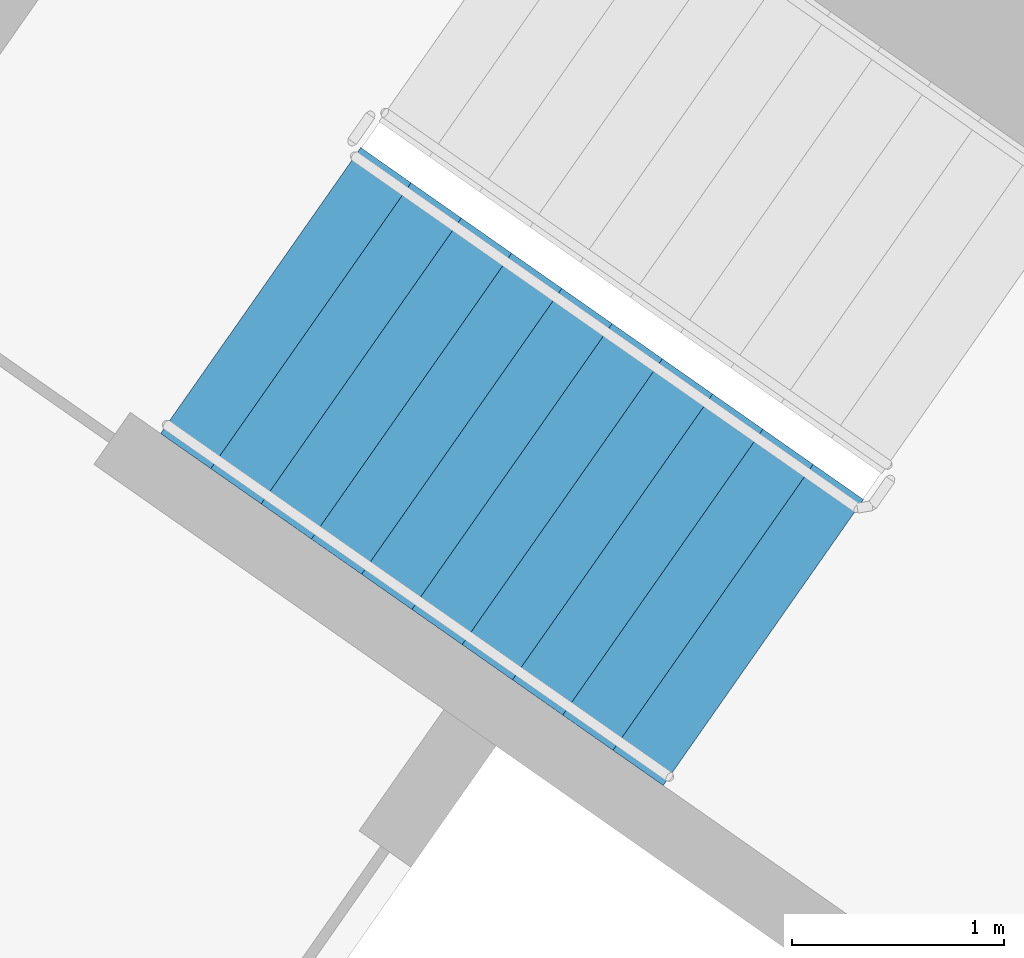
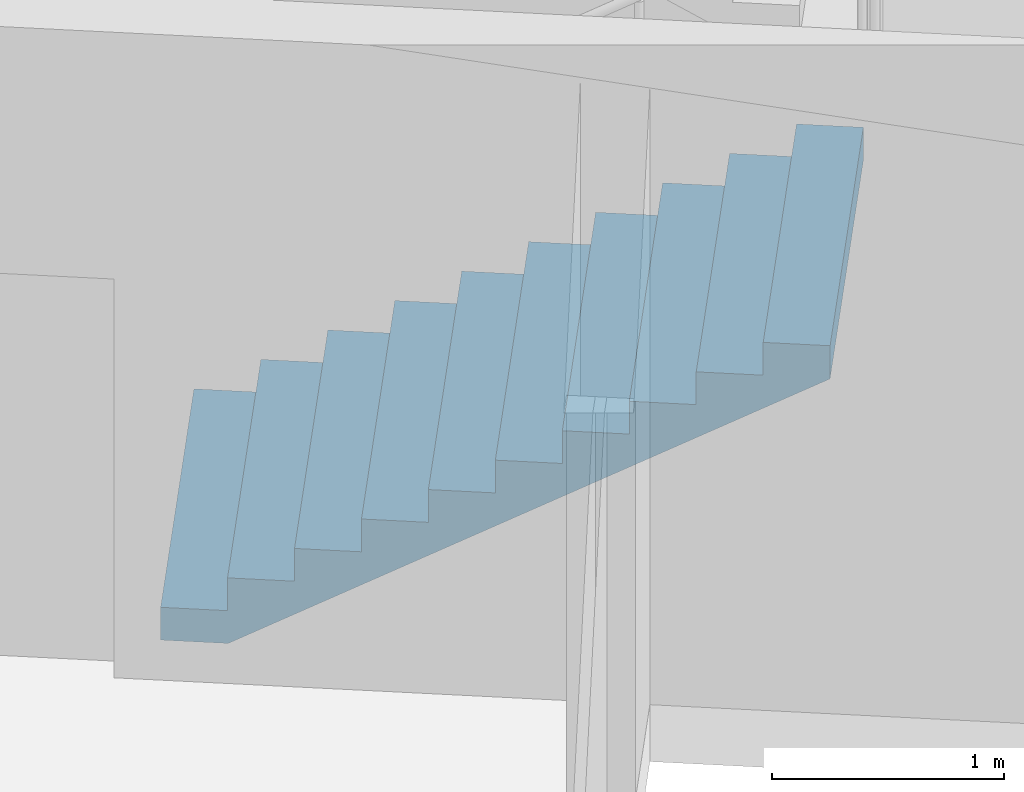
# One storey, part 11 of 27: 1 stair flight, 1 element without a shape of its own.
"""IFC4 building model written with IfcOpenShell, lengths in metres."""

from ifc_helpers import new_model, si_unit, direction, frame, origin, place, context, subcontext, project, spatial, faceted_brep, material, type_object, element, aggregate, save


model = new_model("IFC4")

# Units and contexts
model_context = context("Model", 3, precision=1e-05, world=origin(), true_north=direction((0.0, 1.0)))
body_context = subcontext(model_context, "Body", "Model", "MODEL_VIEW")
ifc_project = project(units=[si_unit("LENGTHUNIT", "METRE"), si_unit("AREAUNIT", "SQUARE_METRE"), si_unit("VOLUMEUNIT", "CUBIC_METRE"), si_unit("PLANEANGLEUNIT", "RADIAN"), si_unit("MASSUNIT", "GRAM", prefix="KILO")], contexts=[model_context])

# Site, building, storey
site_placement = place(None, origin())
site = spatial("IfcSite", under=ifc_project, at=site_placement, CompositionType="ELEMENT")
building_placement = place(site_placement, origin())
building = spatial("IfcBuilding", under=site, at=building_placement, Name="Qamariyya Broadcast Tower", CompositionType="ELEMENT")
storey_placement = place(building_placement, frame((0.0, 0.0, 280.89990234375)))
storey = spatial("IfcBuildingStorey", under=building, at=storey_placement, Name="L68", CompositionType="ELEMENT", Elevation=280.89990234375)

# Stair, stair flight
ifc_material = material(Name="Concrete C50/60", Category="concrete")
stair_type = type_object("IfcStairType", Name="Exit stair 22 risers of 173 mm", PredefinedType="HALF_TURN_STAIR", material=ifc_material)
stair_placement = place(storey_placement, origin())
stair = element("IfcStair", 1, at=stair_placement, inside=storey, type_object=stair_type, Name="L68 Stair W2", PredefinedType="HALF_TURN_STAIR")
stair_flight_type = type_object("IfcStairFlightType", Name="Exit stair flight 11 risers of 173 mm", PredefinedType="STRAIGHT", material=ifc_material)
stair_flight_placement = place(storey_placement, frame((-41.59130859375, -49.15966796875, 0.0), z_axis=(0.0, 0.0, 1.0), x_axis=(0.819152044289, -0.573576436351, 0.0)))
stair_flight = element("IfcStairFlight", 2, at=stair_flight_placement, type_object=stair_flight_type, Name="ST-W2 flight 1", NumberOfRisers=11, NumberOfTreads=10, PredefinedType="STRAIGHT", RiserHeight=0.172727273, TreadLength=0.29, context=body_context, shape_type="Brep", body=[
    faceted_brep([(0.0, 0.824951171875, 0.0), (0.0, 0.824951171875, 0.172607421875), (0.2900390625, 0.824951171875, 0.172607421875), (0.2900390625, 0.824951171875, 0.345458984375), (0.580078125, 0.824951171875, 0.345458984375), (0.580078125, 0.824951171875, 0.51806640625), (0.8701171875, 0.824951171875, 0.51806640625), (0.8701171875, 0.824951171875, 0.69091796875), (1.159912109375, 0.824951171875, 0.69091796875), (1.159912109375, 0.824951171875, 0.863525390625), (1.449951171875, 0.824951171875, 0.863525390625), (1.449951171875, 0.824951171875, 1.036376953125), (1.739990234375, 0.824951171875, 1.036376953125), (1.739990234375, 0.824951171875, 1.208984375), (2.030029296875, 0.824951171875, 1.208984375), (2.030029296875, 0.824951171875, 1.3818359375), (2.320068359375, 0.824951171875, 1.3818359375), (2.320068359375, 0.824951171875, 1.554443359375), (2.610107421875, 0.824951171875, 1.554443359375), (2.610107421875, 0.824951171875, 1.727294921875), (2.89990234375, 0.824951171875, 1.727294921875), (2.89990234375, 0.824951171875, 1.552734375), (0.29296875, 0.824951171875, 0.0), (0.29296875, -0.824951171875, 0.0), (2.89990234375, -0.824951171875, 1.552734375), (2.89990234375, -0.824951171875, 1.727294921875), (2.610107421875, -0.824951171875, 1.727294921875), (2.610107421875, -0.824951171875, 1.554443359375), (2.320068359375, -0.824951171875, 1.554443359375), (2.320068359375, -0.824951171875, 1.3818359375), (2.030029296875, -0.824951171875, 1.3818359375), (2.030029296875, -0.824951171875, 1.208984375), (1.739990234375, -0.824951171875, 1.208984375), (1.739990234375, -0.824951171875, 1.036376953125), (1.449951171875, -0.824951171875, 1.036376953125), (1.449951171875, -0.824951171875, 0.863525390625), (1.159912109375, -0.824951171875, 0.863525390625), (1.159912109375, -0.824951171875, 0.69091796875), (0.8701171875, -0.824951171875, 0.69091796875), (0.8701171875, -0.824951171875, 0.51806640625), (0.580078125, -0.824951171875, 0.51806640625), (0.580078125, -0.824951171875, 0.345458984375), (0.2900390625, -0.824951171875, 0.345458984375), (0.2900390625, -0.824951171875, 0.172607421875), (0.0, -0.824951171875, 0.172607421875), (0.0, -0.824951171875, 0.0), (0.0, 0.10009765625, 0.0), (0.0, 0.086669921875, 0.0), (0.0, 0.0732421875, 0.0), (0.0, 0.06005859375, 0.0), (0.0, 0.046630859375, 0.0), (0.0, 0.033447265625, 0.0), (0.0, 0.02001953125, 0.0), (0.0, 0.006591796875, 0.0), (0.0, -0.006591796875, 0.0), (0.0, -0.02001953125, 0.0), (0.0, -0.033447265625, 0.0), (0.0, -0.046630859375, 0.0), (0.0, -0.06005859375, 0.0), (0.0, -0.0732421875, 0.0), (0.0, -0.086669921875, 0.0), (0.0, -0.10009765625, 0.0), (0.0, -0.10009765625, 0.172607421875), (0.0, -0.086669921875, 0.172607421875), (0.0, -0.0732421875, 0.172607421875), (0.0, -0.06005859375, 0.172607421875), (0.0, -0.046630859375, 0.172607421875), (0.0, -0.033447265625, 0.172607421875), (0.0, -0.02001953125, 0.172607421875), (0.0, -0.006591796875, 0.172607421875), (0.0, 0.006591796875, 0.172607421875), (0.0, 0.02001953125, 0.172607421875), (0.0, 0.033447265625, 0.172607421875), (0.0, 0.046630859375, 0.172607421875), (0.0, 0.06005859375, 0.172607421875), (0.0, 0.0732421875, 0.172607421875), (0.0, 0.086669921875, 0.172607421875), (0.0, 0.10009765625, 0.172607421875), (0.2900390625, -0.10009765625, 0.172607421875), (0.2900390625, -0.086669921875, 0.172607421875), (0.2900390625, -0.0732421875, 0.172607421875), (0.2900390625, -0.06005859375, 0.172607421875), (0.2900390625, -0.046630859375, 0.172607421875), (0.2900390625, -0.033447265625, 0.172607421875), (0.2900390625, -0.02001953125, 0.172607421875), (0.2900390625, -0.006591796875, 0.172607421875), (0.2900390625, 0.006591796875, 0.172607421875), (0.2900390625, 0.02001953125, 0.172607421875), (0.2900390625, 0.033447265625, 0.172607421875), (0.2900390625, 0.046630859375, 0.172607421875), (0.2900390625, 0.06005859375, 0.172607421875), (0.2900390625, 0.0732421875, 0.172607421875), (0.2900390625, 0.086669921875, 0.172607421875), (0.2900390625, 0.10009765625, 0.172607421875), (0.2900390625, -0.10009765625, 0.345458984375), (0.2900390625, -0.086669921875, 0.345458984375), (0.2900390625, -0.0732421875, 0.345458984375), (0.2900390625, -0.06005859375, 0.345458984375), (0.2900390625, -0.046630859375, 0.345458984375), (0.2900390625, -0.033447265625, 0.345458984375), (0.2900390625, -0.02001953125, 0.345458984375), (0.2900390625, -0.006591796875, 0.345458984375), (0.2900390625, 0.006591796875, 0.345458984375), (0.2900390625, 0.02001953125, 0.345458984375), (0.2900390625, 0.033447265625, 0.345458984375), (0.2900390625, 0.046630859375, 0.345458984375), (0.2900390625, 0.06005859375, 0.345458984375), (0.2900390625, 0.0732421875, 0.345458984375), (0.2900390625, 0.086669921875, 0.345458984375), (0.2900390625, 0.10009765625, 0.345458984375), (0.580078125, -0.10009765625, 0.345458984375), (0.580078125, -0.086669921875, 0.345458984375), (0.580078125, -0.0732421875, 0.345458984375), (0.580078125, -0.06005859375, 0.345458984375), (0.580078125, -0.046630859375, 0.345458984375), (0.580078125, -0.033447265625, 0.345458984375), (0.580078125, -0.02001953125, 0.345458984375), (0.580078125, -0.006591796875, 0.345458984375), (0.580078125, 0.006591796875, 0.345458984375), (0.580078125, 0.02001953125, 0.345458984375), (0.580078125, 0.033447265625, 0.345458984375), (0.580078125, 0.046630859375, 0.345458984375), (0.580078125, 0.06005859375, 0.345458984375), (0.580078125, 0.0732421875, 0.345458984375), (0.580078125, 0.086669921875, 0.345458984375), (0.580078125, 0.10009765625, 0.345458984375), (0.580078125, -0.10009765625, 0.51806640625), (0.580078125, -0.086669921875, 0.51806640625), (0.580078125, -0.0732421875, 0.51806640625), (0.580078125, -0.06005859375, 0.51806640625), (0.580078125, -0.046630859375, 0.51806640625), (0.580078125, -0.033447265625, 0.51806640625), (0.580078125, -0.02001953125, 0.51806640625), (0.580078125, -0.006591796875, 0.51806640625), (0.580078125, 0.006591796875, 0.51806640625), (0.580078125, 0.02001953125, 0.51806640625), (0.580078125, 0.033447265625, 0.51806640625), (0.580078125, 0.046630859375, 0.51806640625), (0.580078125, 0.06005859375, 0.51806640625), (0.580078125, 0.0732421875, 0.51806640625), (0.580078125, 0.086669921875, 0.51806640625), (0.580078125, 0.10009765625, 0.51806640625), (0.8701171875, -0.10009765625, 0.51806640625), (0.8701171875, -0.086669921875, 0.51806640625), (0.8701171875, -0.0732421875, 0.51806640625), (0.8701171875, -0.06005859375, 0.51806640625), (0.8701171875, -0.046630859375, 0.51806640625), (0.8701171875, -0.033447265625, 0.51806640625), (0.8701171875, -0.02001953125, 0.51806640625), (0.8701171875, -0.006591796875, 0.51806640625), (0.8701171875, 0.006591796875, 0.51806640625), (0.8701171875, 0.02001953125, 0.51806640625), (0.8701171875, 0.033447265625, 0.51806640625), (0.8701171875, 0.046630859375, 0.51806640625), (0.8701171875, 0.06005859375, 0.51806640625), (0.8701171875, 0.0732421875, 0.51806640625), (0.8701171875, 0.086669921875, 0.51806640625), (0.8701171875, 0.10009765625, 0.51806640625), (0.8701171875, -0.10009765625, 0.69091796875), (0.8701171875, -0.086669921875, 0.69091796875), (0.8701171875, -0.0732421875, 0.69091796875), (0.8701171875, -0.06005859375, 0.69091796875), (0.8701171875, -0.046630859375, 0.69091796875), (0.8701171875, -0.033447265625, 0.69091796875), (0.8701171875, -0.02001953125, 0.69091796875), (0.8701171875, -0.006591796875, 0.69091796875), (0.8701171875, 0.006591796875, 0.69091796875), (0.8701171875, 0.02001953125, 0.69091796875), (0.8701171875, 0.033447265625, 0.69091796875), (0.8701171875, 0.046630859375, 0.69091796875), (0.8701171875, 0.06005859375, 0.69091796875), (0.8701171875, 0.0732421875, 0.69091796875), (0.8701171875, 0.086669921875, 0.69091796875), (0.8701171875, 0.10009765625, 0.69091796875), (1.159912109375, -0.10009765625, 0.69091796875), (1.159912109375, -0.086669921875, 0.69091796875), (1.159912109375, -0.0732421875, 0.69091796875), (1.159912109375, -0.06005859375, 0.69091796875), (1.159912109375, -0.046630859375, 0.69091796875), (1.159912109375, -0.033447265625, 0.69091796875), (1.159912109375, -0.02001953125, 0.69091796875), (1.159912109375, -0.006591796875, 0.69091796875), (1.159912109375, 0.006591796875, 0.69091796875), (1.159912109375, 0.02001953125, 0.69091796875), (1.159912109375, 0.033447265625, 0.69091796875), (1.159912109375, 0.046630859375, 0.69091796875), (1.159912109375, 0.06005859375, 0.69091796875), (1.159912109375, 0.0732421875, 0.69091796875), (1.159912109375, 0.086669921875, 0.69091796875), (1.159912109375, 0.10009765625, 0.69091796875), (1.159912109375, -0.10009765625, 0.863525390625), (1.159912109375, -0.086669921875, 0.863525390625), (1.159912109375, -0.0732421875, 0.863525390625), (1.159912109375, -0.06005859375, 0.863525390625), (1.159912109375, -0.046630859375, 0.863525390625), (1.159912109375, -0.033447265625, 0.863525390625), (1.159912109375, -0.02001953125, 0.863525390625), (1.159912109375, -0.006591796875, 0.863525390625), (1.159912109375, 0.006591796875, 0.863525390625), (1.159912109375, 0.02001953125, 0.863525390625), (1.159912109375, 0.033447265625, 0.863525390625), (1.159912109375, 0.046630859375, 0.863525390625), (1.159912109375, 0.06005859375, 0.863525390625), (1.159912109375, 0.0732421875, 0.863525390625), (1.159912109375, 0.086669921875, 0.863525390625), (1.159912109375, 0.10009765625, 0.863525390625), (1.449951171875, -0.10009765625, 0.863525390625), (1.449951171875, -0.086669921875, 0.863525390625), (1.449951171875, -0.0732421875, 0.863525390625), (1.449951171875, -0.06005859375, 0.863525390625), (1.449951171875, -0.046630859375, 0.863525390625), (1.449951171875, -0.033447265625, 0.863525390625), (1.449951171875, -0.02001953125, 0.863525390625), (1.449951171875, -0.006591796875, 0.863525390625), (1.449951171875, 0.006591796875, 0.863525390625), (1.449951171875, 0.02001953125, 0.863525390625), (1.449951171875, 0.033447265625, 0.863525390625), (1.449951171875, 0.046630859375, 0.863525390625), (1.449951171875, 0.06005859375, 0.863525390625), (1.449951171875, 0.0732421875, 0.863525390625), (1.449951171875, 0.086669921875, 0.863525390625), (1.449951171875, 0.10009765625, 0.863525390625), (1.449951171875, -0.10009765625, 1.036376953125), (1.449951171875, -0.086669921875, 1.036376953125), (1.449951171875, -0.0732421875, 1.036376953125), (1.449951171875, -0.06005859375, 1.036376953125), (1.449951171875, -0.046630859375, 1.036376953125), (1.449951171875, -0.033447265625, 1.036376953125), (1.449951171875, -0.02001953125, 1.036376953125), (1.449951171875, -0.006591796875, 1.036376953125), (1.449951171875, 0.006591796875, 1.036376953125), (1.449951171875, 0.02001953125, 1.036376953125), (1.449951171875, 0.033447265625, 1.036376953125), (1.449951171875, 0.046630859375, 1.036376953125), (1.449951171875, 0.06005859375, 1.036376953125), (1.449951171875, 0.0732421875, 1.036376953125), (1.449951171875, 0.086669921875, 1.036376953125), (1.449951171875, 0.10009765625, 1.036376953125), (1.739990234375, -0.10009765625, 1.036376953125), (1.739990234375, -0.086669921875, 1.036376953125), (1.739990234375, -0.0732421875, 1.036376953125), (1.739990234375, -0.06005859375, 1.036376953125), (1.739990234375, -0.046630859375, 1.036376953125), (1.739990234375, -0.033447265625, 1.036376953125), (1.739990234375, -0.02001953125, 1.036376953125), (1.739990234375, -0.006591796875, 1.036376953125), (1.739990234375, 0.006591796875, 1.036376953125), (1.739990234375, 0.02001953125, 1.036376953125), (1.739990234375, 0.033447265625, 1.036376953125), (1.739990234375, 0.046630859375, 1.036376953125), (1.739990234375, 0.06005859375, 1.036376953125), (1.739990234375, 0.0732421875, 1.036376953125), (1.739990234375, 0.086669921875, 1.036376953125), (1.739990234375, 0.10009765625, 1.036376953125), (1.739990234375, -0.10009765625, 1.208984375), (1.739990234375, -0.086669921875, 1.208984375), (1.739990234375, -0.0732421875, 1.208984375), (1.739990234375, -0.06005859375, 1.208984375), (1.739990234375, -0.046630859375, 1.208984375), (1.739990234375, -0.033447265625, 1.208984375), (1.739990234375, -0.02001953125, 1.208984375), (1.739990234375, -0.006591796875, 1.208984375), (1.739990234375, 0.006591796875, 1.208984375), (1.739990234375, 0.02001953125, 1.208984375), (1.739990234375, 0.033447265625, 1.208984375), (1.739990234375, 0.046630859375, 1.208984375), (1.739990234375, 0.06005859375, 1.208984375), (1.739990234375, 0.0732421875, 1.208984375), (1.739990234375, 0.086669921875, 1.208984375), (1.739990234375, 0.10009765625, 1.208984375), (2.030029296875, -0.10009765625, 1.208984375), (2.030029296875, -0.086669921875, 1.208984375), (2.030029296875, -0.0732421875, 1.208984375), (2.030029296875, -0.06005859375, 1.208984375), (2.030029296875, -0.046630859375, 1.208984375), (2.030029296875, -0.033447265625, 1.208984375), (2.030029296875, -0.02001953125, 1.208984375), (2.030029296875, -0.006591796875, 1.208984375), (2.030029296875, 0.006591796875, 1.208984375), (2.030029296875, 0.02001953125, 1.208984375), (2.030029296875, 0.033447265625, 1.208984375), (2.030029296875, 0.046630859375, 1.208984375), (2.030029296875, 0.06005859375, 1.208984375), (2.030029296875, 0.0732421875, 1.208984375), (2.030029296875, 0.086669921875, 1.208984375), (2.030029296875, 0.10009765625, 1.208984375), (2.030029296875, -0.10009765625, 1.3818359375), (2.030029296875, -0.086669921875, 1.3818359375), (2.030029296875, -0.0732421875, 1.3818359375), (2.030029296875, -0.06005859375, 1.3818359375), (2.030029296875, -0.046630859375, 1.3818359375), (2.030029296875, -0.033447265625, 1.3818359375), (2.030029296875, -0.02001953125, 1.3818359375), (2.030029296875, -0.006591796875, 1.3818359375), (2.030029296875, 0.006591796875, 1.3818359375), (2.030029296875, 0.02001953125, 1.3818359375), (2.030029296875, 0.033447265625, 1.3818359375), (2.030029296875, 0.046630859375, 1.3818359375), (2.030029296875, 0.06005859375, 1.3818359375), (2.030029296875, 0.0732421875, 1.3818359375), (2.030029296875, 0.086669921875, 1.3818359375), (2.030029296875, 0.10009765625, 1.3818359375), (2.320068359375, -0.10009765625, 1.3818359375), (2.320068359375, -0.086669921875, 1.3818359375), (2.320068359375, -0.0732421875, 1.3818359375), (2.320068359375, -0.06005859375, 1.3818359375), (2.320068359375, -0.046630859375, 1.3818359375), (2.320068359375, -0.033447265625, 1.3818359375), (2.320068359375, -0.02001953125, 1.3818359375), (2.320068359375, -0.006591796875, 1.3818359375), (2.320068359375, 0.006591796875, 1.3818359375), (2.320068359375, 0.02001953125, 1.3818359375), (2.320068359375, 0.033447265625, 1.3818359375), (2.320068359375, 0.046630859375, 1.3818359375), (2.320068359375, 0.06005859375, 1.3818359375), (2.320068359375, 0.0732421875, 1.3818359375), (2.320068359375, 0.086669921875, 1.3818359375), (2.320068359375, 0.10009765625, 1.3818359375), (2.320068359375, -0.10009765625, 1.554443359375), (2.320068359375, -0.086669921875, 1.554443359375), (2.320068359375, -0.0732421875, 1.554443359375), (2.320068359375, -0.06005859375, 1.554443359375), (2.320068359375, -0.046630859375, 1.554443359375), (2.320068359375, -0.033447265625, 1.554443359375), (2.320068359375, -0.02001953125, 1.554443359375), (2.320068359375, -0.006591796875, 1.554443359375), (2.320068359375, 0.006591796875, 1.554443359375), (2.320068359375, 0.02001953125, 1.554443359375), (2.320068359375, 0.033447265625, 1.554443359375), (2.320068359375, 0.046630859375, 1.554443359375), (2.320068359375, 0.06005859375, 1.554443359375), (2.320068359375, 0.0732421875, 1.554443359375), (2.320068359375, 0.086669921875, 1.554443359375), (2.320068359375, 0.10009765625, 1.554443359375), (2.610107421875, -0.10009765625, 1.554443359375), (2.610107421875, -0.086669921875, 1.554443359375), (2.610107421875, -0.0732421875, 1.554443359375), (2.610107421875, -0.06005859375, 1.554443359375), (2.610107421875, -0.046630859375, 1.554443359375), (2.610107421875, -0.033447265625, 1.554443359375), (2.610107421875, -0.02001953125, 1.554443359375), (2.610107421875, -0.006591796875, 1.554443359375), (2.610107421875, 0.006591796875, 1.554443359375), (2.610107421875, 0.02001953125, 1.554443359375), (2.610107421875, 0.033447265625, 1.554443359375), (2.610107421875, 0.046630859375, 1.554443359375), (2.610107421875, 0.06005859375, 1.554443359375), (2.610107421875, 0.0732421875, 1.554443359375), (2.610107421875, 0.086669921875, 1.554443359375), (2.610107421875, 0.10009765625, 1.554443359375), (2.610107421875, -0.10009765625, 1.727294921875), (2.610107421875, -0.086669921875, 1.727294921875), (2.610107421875, -0.0732421875, 1.727294921875), (2.610107421875, -0.06005859375, 1.727294921875), (2.610107421875, -0.046630859375, 1.727294921875), (2.610107421875, -0.033447265625, 1.727294921875), (2.610107421875, -0.02001953125, 1.727294921875), (2.610107421875, -0.006591796875, 1.727294921875), (2.610107421875, 0.006591796875, 1.727294921875), (2.610107421875, 0.02001953125, 1.727294921875), (2.610107421875, 0.033447265625, 1.727294921875), (2.610107421875, 0.046630859375, 1.727294921875), (2.610107421875, 0.06005859375, 1.727294921875), (2.610107421875, 0.0732421875, 1.727294921875), (2.610107421875, 0.086669921875, 1.727294921875), (2.610107421875, 0.10009765625, 1.727294921875), (2.89990234375, -0.10009765625, 1.727294921875), (2.89990234375, -0.086669921875, 1.727294921875), (2.89990234375, -0.0732421875, 1.727294921875), (2.89990234375, -0.06005859375, 1.727294921875), (2.89990234375, -0.046630859375, 1.727294921875), (2.89990234375, -0.033447265625, 1.727294921875), (2.89990234375, -0.02001953125, 1.727294921875), (2.89990234375, -0.006591796875, 1.727294921875), (2.89990234375, 0.006591796875, 1.727294921875), (2.89990234375, 0.02001953125, 1.727294921875), (2.89990234375, 0.033447265625, 1.727294921875), (2.89990234375, 0.046630859375, 1.727294921875), (2.89990234375, 0.06005859375, 1.727294921875), (2.89990234375, 0.0732421875, 1.727294921875), (2.89990234375, 0.086669921875, 1.727294921875), (2.89990234375, 0.10009765625, 1.727294921875), (2.89990234375, -0.10009765625, 1.552734375), (2.89990234375, -0.086669921875, 1.552734375), (2.89990234375, -0.0732421875, 1.552734375), (2.89990234375, -0.06005859375, 1.552734375), (2.89990234375, -0.046630859375, 1.552734375), (2.89990234375, -0.033447265625, 1.552734375), (2.89990234375, -0.02001953125, 1.552734375), (2.89990234375, -0.006591796875, 1.552734375), (2.89990234375, 0.006591796875, 1.552734375), (2.89990234375, 0.02001953125, 1.552734375), (2.89990234375, 0.033447265625, 1.552734375), (2.89990234375, 0.046630859375, 1.552734375), (2.89990234375, 0.06005859375, 1.552734375), (2.89990234375, 0.0732421875, 1.552734375), (2.89990234375, 0.086669921875, 1.552734375), (2.89990234375, 0.10009765625, 1.552734375), (0.29296875, -0.10009765625, 0.0), (0.29296875, -0.086669921875, 0.0), (0.29296875, -0.0732421875, 0.0), (0.29296875, -0.06005859375, 0.0), (0.29296875, -0.046630859375, 0.0), (0.29296875, -0.033447265625, 0.0), (0.29296875, -0.02001953125, 0.0), (0.29296875, -0.006591796875, 0.0), (0.29296875, 0.006591796875, 0.0), (0.29296875, 0.02001953125, 0.0), (0.29296875, 0.033447265625, 0.0), (0.29296875, 0.046630859375, 0.0), (0.29296875, 0.06005859375, 0.0), (0.29296875, 0.0732421875, 0.0), (0.29296875, 0.086669921875, 0.0), (0.29296875, 0.10009765625, 0.0)], [[[0, 1, 2, 3, 4, 5, 6, 7, 8, 9, 10, 11, 12, 13, 14, 15, 16, 17, 18, 19, 20, 21, 22]], [[23, 24, 25, 26, 27, 28, 29, 30, 31, 32, 33, 34, 35, 36, 37, 38, 39, 40, 41, 42, 43, 44, 45]], [[0, 46, 47, 48, 49, 50, 51, 52, 53, 54, 55, 56, 57, 58, 59, 60, 61, 45, 44, 62, 63, 64, 65, 66, 67, 68, 69, 70, 71, 72, 73, 74, 75, 76, 77, 1]], [[1, 77, 76, 75, 74, 73, 72, 71, 70, 69, 68, 67, 66, 65, 64, 63, 62, 44, 43, 78, 79, 80, 81, 82, 83, 84, 85, 86, 87, 88, 89, 90, 91, 92, 93, 2]], [[2, 93, 92, 91, 90, 89, 88, 87, 86, 85, 84, 83, 82, 81, 80, 79, 78, 43, 42, 94, 95, 96, 97, 98, 99, 100, 101, 102, 103, 104, 105, 106, 107, 108, 109, 3]], [[3, 109, 108, 107, 106, 105, 104, 103, 102, 101, 100, 99, 98, 97, 96, 95, 94, 42, 41, 110, 111, 112, 113, 114, 115, 116, 117, 118, 119, 120, 121, 122, 123, 124, 125, 4]], [[4, 125, 124, 123, 122, 121, 120, 119, 118, 117, 116, 115, 114, 113, 112, 111, 110, 41, 40, 126, 127, 128, 129, 130, 131, 132, 133, 134, 135, 136, 137, 138, 139, 140, 141, 5]], [[5, 141, 140, 139, 138, 137, 136, 135, 134, 133, 132, 131, 130, 129, 128, 127, 126, 40, 39, 142, 143, 144, 145, 146, 147, 148, 149, 150, 151, 152, 153, 154, 155, 156, 157, 6]], [[6, 157, 156, 155, 154, 153, 152, 151, 150, 149, 148, 147, 146, 145, 144, 143, 142, 39, 38, 158, 159, 160, 161, 162, 163, 164, 165, 166, 167, 168, 169, 170, 171, 172, 173, 7]], [[7, 173, 172, 171, 170, 169, 168, 167, 166, 165, 164, 163, 162, 161, 160, 159, 158, 38, 37, 174, 175, 176, 177, 178, 179, 180, 181, 182, 183, 184, 185, 186, 187, 188, 189, 8]], [[8, 189, 188, 187, 186, 185, 184, 183, 182, 181, 180, 179, 178, 177, 176, 175, 174, 37, 36, 190, 191, 192, 193, 194, 195, 196, 197, 198, 199, 200, 201, 202, 203, 204, 205, 9]], [[9, 205, 204, 203, 202, 201, 200, 199, 198, 197, 196, 195, 194, 193, 192, 191, 190, 36, 35, 206, 207, 208, 209, 210, 211, 212, 213, 214, 215, 216, 217, 218, 219, 220, 221, 10]], [[10, 221, 220, 219, 218, 217, 216, 215, 214, 213, 212, 211, 210, 209, 208, 207, 206, 35, 34, 222, 223, 224, 225, 226, 227, 228, 229, 230, 231, 232, 233, 234, 235, 236, 237, 11]], [[11, 237, 236, 235, 234, 233, 232, 231, 230, 229, 228, 227, 226, 225, 224, 223, 222, 34, 33, 238, 239, 240, 241, 242, 243, 244, 245, 246, 247, 248, 249, 250, 251, 252, 253, 12]], [[12, 253, 252, 251, 250, 249, 248, 247, 246, 245, 244, 243, 242, 241, 240, 239, 238, 33, 32, 254, 255, 256, 257, 258, 259, 260, 261, 262, 263, 264, 265, 266, 267, 268, 269, 13]], [[13, 269, 268, 267, 266, 265, 264, 263, 262, 261, 260, 259, 258, 257, 256, 255, 254, 32, 31, 270, 271, 272, 273, 274, 275, 276, 277, 278, 279, 280, 281, 282, 283, 284, 285, 14]], [[14, 285, 284, 283, 282, 281, 280, 279, 278, 277, 276, 275, 274, 273, 272, 271, 270, 31, 30, 286, 287, 288, 289, 290, 291, 292, 293, 294, 295, 296, 297, 298, 299, 300, 301, 15]], [[15, 301, 300, 299, 298, 297, 296, 295, 294, 293, 292, 291, 290, 289, 288, 287, 286, 30, 29, 302, 303, 304, 305, 306, 307, 308, 309, 310, 311, 312, 313, 314, 315, 316, 317, 16]], [[16, 317, 316, 315, 314, 313, 312, 311, 310, 309, 308, 307, 306, 305, 304, 303, 302, 29, 28, 318, 319, 320, 321, 322, 323, 324, 325, 326, 327, 328, 329, 330, 331, 332, 333, 17]], [[17, 333, 332, 331, 330, 329, 328, 327, 326, 325, 324, 323, 322, 321, 320, 319, 318, 28, 27, 334, 335, 336, 337, 338, 339, 340, 341, 342, 343, 344, 345, 346, 347, 348, 349, 18]], [[18, 349, 348, 347, 346, 345, 344, 343, 342, 341, 340, 339, 338, 337, 336, 335, 334, 27, 26, 350, 351, 352, 353, 354, 355, 356, 357, 358, 359, 360, 361, 362, 363, 364, 365, 19]], [[19, 365, 364, 363, 362, 361, 360, 359, 358, 357, 356, 355, 354, 353, 352, 351, 350, 26, 25, 366, 367, 368, 369, 370, 371, 372, 373, 374, 375, 376, 377, 378, 379, 380, 381, 20]], [[20, 381, 380, 379, 378, 377, 376, 375, 374, 373, 372, 371, 370, 369, 368, 367, 366, 25, 24, 382, 383, 384, 385, 386, 387, 388, 389, 390, 391, 392, 393, 394, 395, 396, 397, 21]], [[21, 397, 396, 395, 394, 393, 392, 391, 390, 389, 388, 387, 386, 385, 384, 383, 382, 24, 23, 398, 399, 400, 401, 402, 403, 404, 405, 406, 407, 408, 409, 410, 411, 412, 413, 22]], [[22, 413, 412, 411, 410, 409, 408, 407, 406, 405, 404, 403, 402, 401, 400, 399, 398, 23, 45, 61, 60, 59, 58, 57, 56, 55, 54, 53, 52, 51, 50, 49, 48, 47, 46, 0]]]),
])
aggregate(stair, [stair_flight])

save(model, "model.ifc")
